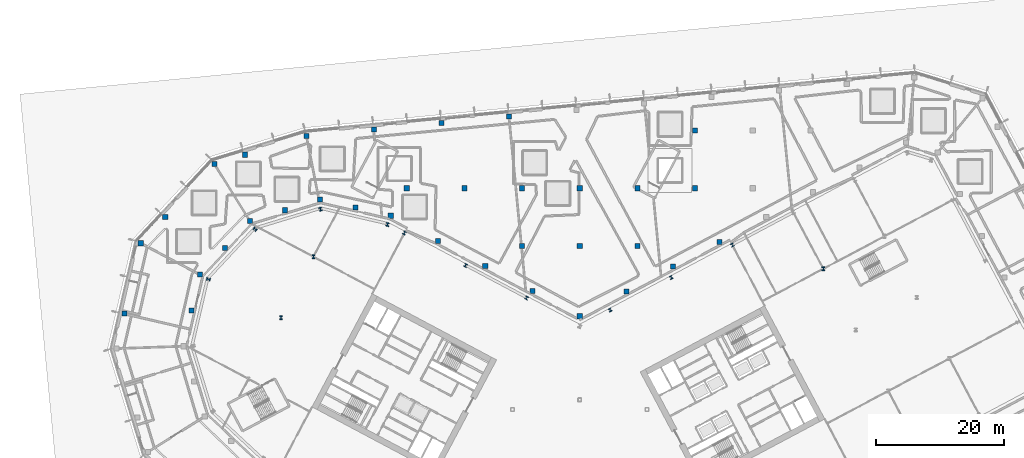
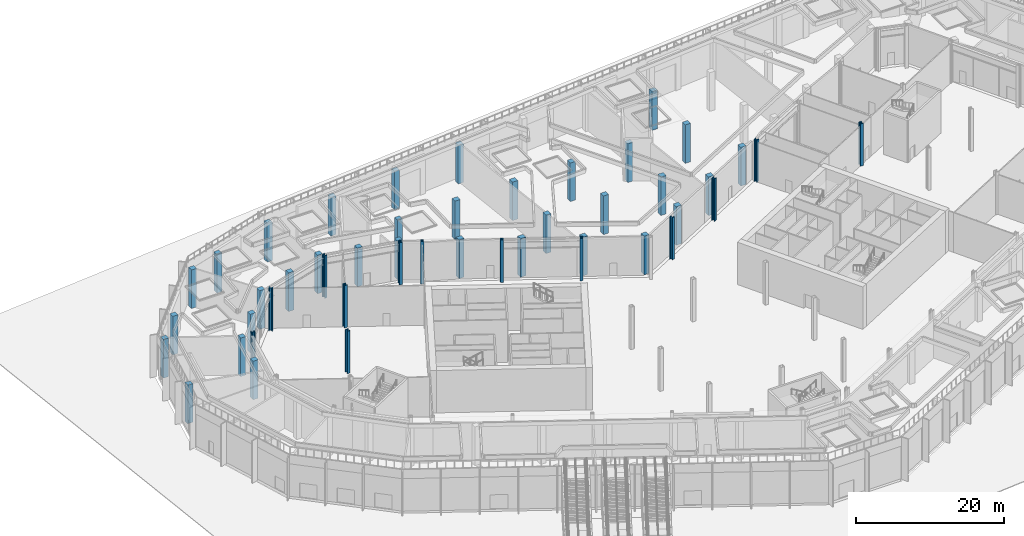
# One storey, part 5 of 57: 47 columns.
"""IFC4 building model written with IfcOpenShell, lengths in metres."""

from ifc_helpers import new_model, si_unit, direction, frame, origin, origin_2d, place, context, subcontext, project, spatial, rectangle, i_section, extrude, material, material_profile, profile_set, type_object, element, save


model = new_model("IFC4")

# Units and contexts
model_context = context("Model", 3, precision=1e-05, world=origin(), true_north=direction((0.0, 1.0)))
body_context = subcontext(model_context, "Body", "Model", "MODEL_VIEW")
ifc_project = project(units=[si_unit("LENGTHUNIT", "METRE"), si_unit("AREAUNIT", "SQUARE_METRE"), si_unit("VOLUMEUNIT", "CUBIC_METRE"), si_unit("PLANEANGLEUNIT", "RADIAN"), si_unit("MASSUNIT", "GRAM", prefix="KILO")], contexts=[model_context])

# Site, building, storey
site_placement = place(None, origin())
site = spatial("IfcSite", under=ifc_project, at=site_placement, CompositionType="ELEMENT")
building_placement = place(site_placement, origin())
building = spatial("IfcBuilding", under=site, at=building_placement, Name="Cormorant Relay Tower", CompositionType="ELEMENT")
storey_placement = place(building_placement, origin())
storey = spatial("IfcBuildingStorey", under=building, at=storey_placement, Name="L00", CompositionType="ELEMENT", Elevation=0.0)

# Columns
ifc_material_1 = material(Name="Concrete 50 MPa", Category="concrete")
ifc_material_profile_1 = material_profile(ifc_material_1, rectangle(XDim=0.800048828125, YDim=0.800048828125, at=origin_2d()), Name="RC 800x800")
ifc_profile_set_1 = profile_set([ifc_material_profile_1], Name="Concrete 50 MPa")
column_type_1 = type_object("IfcColumnType", Name="Base column 800 x 800", PredefinedType="COLUMN", material=ifc_profile_set_1)
for number, where, z_axis, x_axis, name in (
    (1, (0.0, 25.030029296875, 0.0), (0.0, 0.0, 1.0), (1.0, 0.0, 0.0), "Base column"),
    (2, (-71.04296875, 25.468994140625, 0.0), (0.0, 0.0, 1.0), (1.0, 0.0, 0.0), "Base column"),
    (3, (-60.569091796875, 25.93701171875, 0.0), (0.0, 0.0, 1.0), (1.0, 0.0, 0.0), "Base column"),
    (4, (7.279052734375, 28.89990234375, 0.0), (0.0, 0.0, 1.0), (1.0, 0.0, 0.0), "Base column"),
    (5, (-7.37109375, 28.948974609375, 0.0), (0.0, 0.0, 1.0), (1.0, 0.0, 0.0), "Base column"),
    (6, (-59.280029296875, 31.52001953125, 0.0), (0.0, 0.0, 1.0), (1.0, 0.0, 0.0), "Base column"),
    (7, (14.556884765625, 32.77001953125, 0.0), (0.0, 0.0, 1.0), (1.0, 0.0, 0.0), "Base column"),
    (8, (-14.742919921875, 32.868896484375, 0.0), (0.0, 0.0, 1.0), (1.0, 0.0, 0.0), "Base column"),
    (9, (-55.3720703125, 35.7099609375, 0.0), (0.0, 0.0, 1.0), (1.0, 0.0, 0.0), "Base column"),
    (10, (-9.0, 36.0, 0.0), (0.0, 0.0, 1.0), (1.0, 0.0, 0.0), "Base column"),
    (11, (0.0, 36.0, 0.0), (0.0, 0.0, 1.0), (1.0, 0.0, 0.0), "Base column"),
    (12, (9.0, 36.0, 0.0), (0.0, 0.0, 1.0), (1.0, 0.0, 0.0), "Base column"),
    (13, (-68.511962890625, 36.428955078125, 0.0), (0.0, 0.0, 1.0), (1.0, 0.0, 0.0), "Base column"),
    (14, (21.8359375, 36.639892578125, 0.0), (0.0, 0.0, 1.0), (1.0, 0.0, 0.0), "Base column"),
    (15, (-22.114013671875, 36.7880859375, 0.0), (0.0, 0.0, 1.0), (1.0, 0.0, 0.0), "Base column"),
    (16, (-51.464111328125, 39.90087890625, 0.0), (0.0, 0.0, 1.0), (1.0, 0.0, 0.0), "Base column"),
    (17, (-64.677001953125, 40.5419921875, 0.0), (0.0, 0.0, 1.0), (1.0, 0.0, 0.0), "Base column"),
    (18, (-29.485107421875, 40.70703125, 0.0), (0.0, 0.0, 1.0), (1.0, 0.0, 0.0), "Base column"),
    (19, (-45.985107421875, 41.575927734375, 0.0), (0.0, 0.0, 1.0), (1.0, 0.0, 0.0), "Base column"),
    (20, (-34.9951171875, 41.97900390625, 0.0), (0.0, 0.0, 1.0), (1.0, 0.0, 0.0), "Base column"),
    (21, (-40.5048828125, 43.251953125, 0.0), (0.0, 0.0, 1.0), (1.0, 0.0, 0.0), "Base column"),
    (22, (-27.0, 45.0, 0.0), (0.0, 0.0, 1.0), (1.0, 0.0, 0.0), "Base column"),
    (23, (-18.0, 45.0, 0.0), (0.0, 0.0, 1.0), (1.0, 0.0, 0.0), "Base column"),
    (24, (-9.0, 45.0, 0.0), (0.0, 0.0, 1.0), (1.0, 0.0, 0.0), "Base column"),
    (25, (0.0, 45.0, 0.0), (0.0, 0.0, 1.0), (1.0, 0.0, 0.0), "Base column"),
    (26, (9.0, 45.0, 0.0), (0.0, 0.0, 1.0), (1.0, 0.0, 0.0), "Base column"),
    (27, (18.0, 45.0, 0.0), (0.0, 0.0, 1.0), (1.0, 0.0, 0.0), "Base column"),
    (28, (-57.0048828125, 48.76806640625, 0.0), (0.0, 0.0, 1.0), (1.0, 0.0, 0.0), "Base column"),
    (29, (-52.22412109375, 50.22998046875, 0.0), (0.0, 0.0, 1.0), (1.0, 0.0, 0.0), "Base column"),
    (30, (-42.662109375, 53.154052734375, 0.0), (0.0, 0.0, 1.0), (1.0, 0.0, 0.0), "Base column"),
    (31, (18.0, 54.0, 0.0), (0.0, 0.0, 1.0), (1.0, 0.0, 0.0), "Base column"),
    (32, (-32.12109375, 54.169921875, 0.0), (0.0, 0.0, 1.0), (1.0, 0.0, 0.0), "Base column"),
    (33, (-21.580078125, 55.18603515625, 0.0), (0.0, 0.0, 1.0), (1.0, 0.0, 0.0), "Base column"),
    (34, (-11.0390625, 56.201904296875, 0.0), (0.0, 0.0, 1.0), (1.0, 0.0, 0.0), "Base column"),
):
    element("IfcColumn", number, at=place(storey_placement, frame(where, z_axis=z_axis, x_axis=x_axis)), inside=storey, type_object=column_type_1, Name=name, PredefinedType="COLUMN", context=body_context, shape_type="SweptSolid", body=[
        extrude(rectangle(XDim=0.800048828125, YDim=0.800048828125, at=origin_2d()), origin(), (0.0, 0.0, 1.0), 6.3701171875),
    ])
ifc_material_2 = material(Name="Steel ASTM A992 (Fy 345 MPa)", Category="steel")
ifc_material_profile_2 = material_profile(ifc_material_2, i_section(OverallWidth=0.45458984375, OverallDepth=0.569091796875, WebThickness=0.077880859375, FlangeThickness=0.124755859375, FilletRadius=0.015380859375, at=origin_2d()), Name="W360x1086")
ifc_profile_set_2 = profile_set([ifc_material_profile_2], Name="Steel ASTM A992 (Fy 345 MPa)")
column_type_2 = type_object("IfcColumnType", Name="Column W360x1086", PredefinedType="COLUMN", material=ifc_profile_set_2)
for number, where, z_axis, x_axis, name in (
    (35, (-46.6201171875, 24.7880859375, 0.0), (0.0, 0.0, 1.0), (1.0, 0.0, 0.0), "Column L00-034"),
    (36, (-57.93896484375, 30.806884765625, 0.0), (0.0, 0.0, 1.0), (-0.224951054344, -0.974370064785, 0.0), "Column L00-038"),
    (37, (38.01806640625, 32.446044921875, 0.0), (0.0, 0.0, 1.0), (1.0, 0.0, 0.0), "Column L00-040"),
    (38, (-41.549072265625, 34.323974609375, 0.0), (0.0, 0.0, 1.0), (1.0, 0.0, 0.0), "Column L00-043"),
    (39, (-50.659912109375, 38.613037109375, 0.0), (0.0, 0.0, 1.0), (-0.681998360062, -0.731353701619, 0.0), "Column L00-047"),
    (40, (-29.992919921875, 39.35009765625, 0.0), (0.0, 0.0, 1.0), (-0.974370064785, 0.224951054344, 0.0), "Column L00-048"),
    (41, (-40.451904296875, 41.73388671875, 0.0), (0.0, 0.0, 1.0), (-0.956304755963, -0.292371704723, 0.0), "Column L00-050"),
):
    element("IfcColumn", number, at=place(storey_placement, frame(where, z_axis=z_axis, x_axis=x_axis)), inside=storey, type_object=column_type_2, Name=name, PredefinedType="COLUMN", context=body_context, shape_type="SweptSolid", body=[
        extrude(i_section(OverallWidth=0.45458984375, OverallDepth=0.569091796875, WebThickness=0.077880859375, FlangeThickness=0.124755859375, FilletRadius=0.015380859375, at=origin_2d()), origin(), (0.0, 0.0, 1.0), 7.0),
    ])
ifc_material_3 = material(Name="Steel ASTM A992 (Fy 345 MPa)", Category="steel")
ifc_material_profile_3 = material_profile(ifc_material_3, i_section(OverallWidth=0.43701171875, OverallDepth=0.51318359375, WebThickness=0.060546875, FlangeThickness=0.096923828125, FilletRadius=0.015380859375, at=origin_2d()), Name="W360x818")
ifc_profile_set_3 = profile_set([ifc_material_profile_3], Name="Steel ASTM A992 (Fy 345 MPa)")
column_type_3 = type_object("IfcColumnType", Name="Column W360x818", PredefinedType="COLUMN", material=ifc_profile_set_3)
for number, where, z_axis, x_axis, name in (
    (42, (4.743896484375, 26.011962890625, 0.0), (0.0, 0.0, 1.0), (-0.882947592859, -0.469471562786, 0.0), "Column L00-035"),
    (43, (-8.27490234375, 27.889892578125, 0.0), (0.0, 0.0, 1.0), (-0.882947592859, 0.469471562786, 0.0), "Column L00-036"),
    (44, (14.279052734375, 31.08203125, 0.0), (0.0, 0.0, 1.0), (-0.882947592859, -0.469471562786, 0.0), "Column L00-039"),
    (45, (-17.81103515625, 32.9599609375, 0.0), (0.0, 0.0, 1.0), (-0.882947592859, 0.469471562786, 0.0), "Column L00-041"),
    (46, (23.81494140625, 36.152099609375, 0.0), (0.0, 0.0, 1.0), (-0.882947592859, -0.469471562786, 0.0), "Column L00-044"),
    (47, (-27.346923828125, 38.030029296875, 0.0), (0.0, 0.0, 1.0), (-0.882947592859, 0.469471562786, 0.0), "Column L00-046"),
):
    element("IfcColumn", number, at=place(storey_placement, frame(where, z_axis=z_axis, x_axis=x_axis)), inside=storey, type_object=column_type_3, Name=name, PredefinedType="COLUMN", context=body_context, shape_type="SweptSolid", body=[
        extrude(i_section(OverallWidth=0.43701171875, OverallDepth=0.51318359375, WebThickness=0.060546875, FlangeThickness=0.096923828125, FilletRadius=0.015380859375, at=origin_2d()), origin(), (0.0, 0.0, 1.0), 7.0),
    ])

save(model, "model.ifc")
